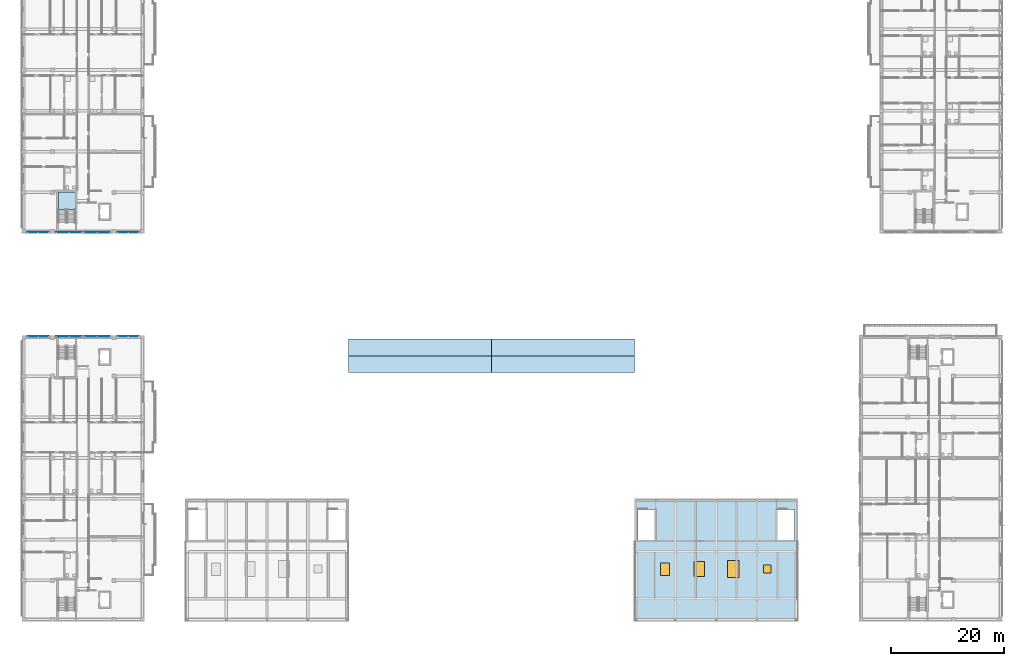
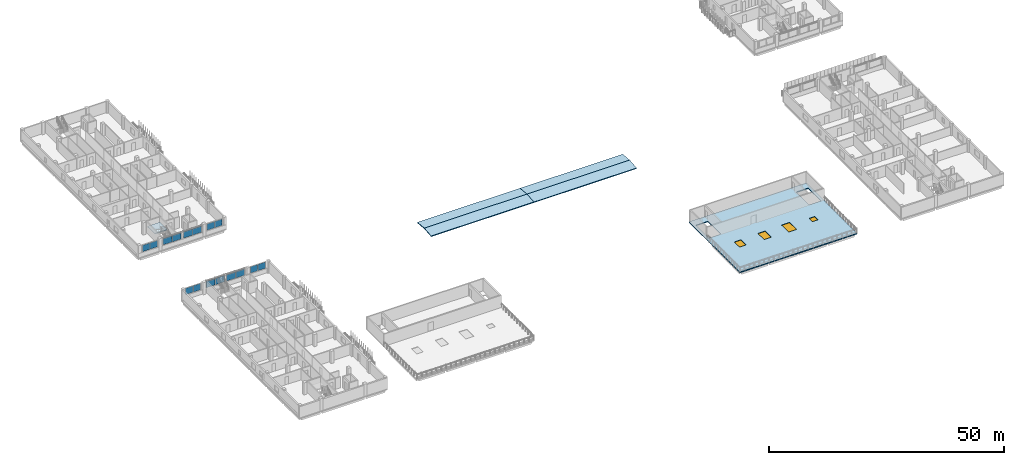
# One storey, part 22 of 56: 16 plates, 6 slabs, 4 windows, 4 openings, 10 elements without a shape of their own.
"""IFC4 building model written with IfcOpenShell, lengths in metres."""

from ifc_helpers import new_model, si_unit, derived_unit, direction, frame, origin, origin_2d, place, context, subcontext, project, spatial, polyline, rectangle, outline, extrude, material, layer, layer_set, type_object, element, fill, aggregate, save


model = new_model("IFC4")

# Units and contexts
model_context = context("Model", 3, precision=1e-05, world=origin(), true_north=direction((0.0, 1.0)))
body_context = subcontext(model_context, "Body", "Model", "MODEL_VIEW")
ifc_project = project(units=[si_unit("LENGTHUNIT", "METRE"), si_unit("AREAUNIT", "SQUARE_METRE"), si_unit("VOLUMEUNIT", "CUBIC_METRE"), si_unit("PLANEANGLEUNIT", "RADIAN"), si_unit("MASSUNIT", "GRAM", prefix="KILO"), derived_unit("THERMALTRANSMITTANCEUNIT", [(si_unit("MASSUNIT", "GRAM", prefix="KILO"), 1), (si_unit("TIMEUNIT", "SECOND"), -3), (si_unit("THERMODYNAMICTEMPERATUREUNIT", "KELVIN"), -1)])], contexts=[model_context])

# Site, building, storey
site_placement = place(None, origin())
site = spatial("IfcSite", under=ifc_project, at=site_placement, CompositionType="ELEMENT")
building_placement = place(site_placement, origin())
building = spatial("IfcBuilding", under=site, at=building_placement, Name="Ochrekiln Boulevard Commons", CompositionType="ELEMENT")
storey_placement = place(building_placement, frame((0.0, 0.0, 12.074951171875)))
storey = spatial("IfcBuildingStorey", under=building, at=storey_placement, Name="L03", CompositionType="ELEMENT", Elevation=12.074951171875)

# Curtain wall, plates
ifc_material_1 = material(Name="Bronze-anodized extruded aluminium 6063-T6", Category="aluminium")
ifc_layer_1 = layer(ifc_material_1, 0.172119140625)
ifc_layer_set_1 = layer_set([ifc_layer_1], Name="Bronze-anodized extruded aluminium 6063-T6")
curtain_wall_type = type_object("IfcCurtainWallType", Name="CW-GABLE-A", PredefinedType="USERDEFINED", material=ifc_layer_set_1)
curtain_wall_1_placement = place(storey_placement, origin())
curtain_wall_1 = element("IfcCurtainWall", 1, at=curtain_wall_1_placement, inside=storey, type_object=curtain_wall_type, Name="Block A L03 Courtyard Glazed Gable Curtain Wall 4", ObjectType="GLAZED CURTAIN WALL", PredefinedType="USERDEFINED")
ifc_material_2 = material(Name="Spectrally selective low-E insulated glazing", Category="glass")
ifc_layer_2 = layer(ifc_material_2, 0.02392578125)
ifc_layer_set_2 = layer_set([ifc_layer_2], Name="Spectrally selective low-E insulated glazing")
plate_type_1 = type_object("IfcPlateType", Name="CWP-GLZ-1", PredefinedType="CURTAIN_PANEL", material=ifc_layer_set_2)
plate_1_placement = place(storey_placement, frame((17.788818359375, 68.56005859375, 1.175048828125), z_axis=(0.0, 0.0, 1.0), x_axis=(1.0, 0.0, 0.0)))
plate_1 = element("IfcPlate", 2, at=plate_1_placement, type_object=plate_type_1, Name="CW-01 panel 1.1", PredefinedType="CURTAIN_PANEL", context=body_context, shape_type="SweptSolid", body=[
    extrude(rectangle(XDim=1.8076171875, YDim=0.02392578125, at=origin_2d()), origin(), (0.0, 0.0, 1.0), 1.64990234375),
])
plate_2_placement = place(storey_placement, frame((19.6611328125, 68.56005859375, 1.175048828125), z_axis=(0.0, 0.0, 1.0), x_axis=(1.0, 0.0, 0.0)))
plate_2 = element("IfcPlate", 3, at=plate_2_placement, type_object=plate_type_1, Name="CW-01 panel 2.1", PredefinedType="CURTAIN_PANEL", context=body_context, shape_type="SweptSolid", body=[
    extrude(rectangle(XDim=1.8076171875, YDim=0.02392578125, at=origin_2d()), origin(), (0.0, 0.0, 1.0), 1.64990234375),
])
aggregate(curtain_wall_1, [plate_1, plate_2])

curtain_wall_2_placement = place(storey_placement, origin())
curtain_wall_2 = element("IfcCurtainWall", 4, at=curtain_wall_2_placement, inside=storey, type_object=curtain_wall_type, Name="Block D L03 Courtyard Glazed Gable Curtain Wall 4", ObjectType="GLAZED CURTAIN WALL", PredefinedType="USERDEFINED")
plate_3_placement = place(storey_placement, frame((17.788818359375, 50.217529296875, 1.175048828125), z_axis=(0.0, 0.0, 1.0), x_axis=(1.0, 0.0, 0.0)))
plate_3 = element("IfcPlate", 5, at=plate_3_placement, type_object=plate_type_1, Name="CW-01 panel 1.1", PredefinedType="CURTAIN_PANEL", context=body_context, shape_type="SweptSolid", body=[
    extrude(rectangle(XDim=1.8076171875, YDim=0.02392578125, at=origin_2d()), origin(), (0.0, 0.0, 1.0), 1.64990234375),
])
plate_4_placement = place(storey_placement, frame((19.6611328125, 50.217529296875, 1.175048828125), z_axis=(0.0, 0.0, 1.0), x_axis=(1.0, 0.0, 0.0)))
plate_4 = element("IfcPlate", 6, at=plate_4_placement, type_object=plate_type_1, Name="CW-01 panel 2.1", PredefinedType="CURTAIN_PANEL", context=body_context, shape_type="SweptSolid", body=[
    extrude(rectangle(XDim=1.8076171875, YDim=0.02392578125, at=origin_2d()), origin(), (0.0, 0.0, 1.0), 1.64990234375),
])
aggregate(curtain_wall_2, [plate_3, plate_4])

curtain_wall_3_placement = place(storey_placement, origin())
curtain_wall_3 = element("IfcCurtainWall", 7, at=curtain_wall_3_placement, inside=storey, type_object=curtain_wall_type, Name="Block A L03 Courtyard Glazed Gable Curtain Wall 1", ObjectType="GLAZED CURTAIN WALL", PredefinedType="USERDEFINED")
ifc_layer_3 = layer(ifc_material_2, 0.030029296875)
ifc_layer_set_3 = layer_set([ifc_layer_3], Name="Spectrally selective low-E insulated glazing")
plate_type_2 = type_object("IfcPlateType", Name="CWP-GLZ-2", PredefinedType="CURTAIN_PANEL", material=ifc_layer_set_3)
plate_5_placement = place(storey_placement, frame((1.9375, 68.56005859375, 1.169921875), z_axis=(0.0, 0.0, 1.0), x_axis=(1.0, 0.0, 0.0)))
plate_5 = element("IfcPlate", 8, at=plate_5_placement, type_object=plate_type_2, Name="CW-01 panel 1.1", PredefinedType="CURTAIN_PANEL", context=body_context, shape_type="SweptSolid", body=[
    extrude(rectangle(XDim=1.81494140625, YDim=0.030029296875, at=origin_2d()), origin(), (0.0, 0.0, 1.0), 1.659912109375),
])
plate_6_placement = place(storey_placement, frame((3.8125, 68.56005859375, 1.169921875), z_axis=(0.0, 0.0, 1.0), x_axis=(1.0, 0.0, 0.0)))
plate_6 = element("IfcPlate", 9, at=plate_6_placement, type_object=plate_type_2, Name="CW-01 panel 2.1", PredefinedType="CURTAIN_PANEL", context=body_context, shape_type="SweptSolid", body=[
    extrude(rectangle(XDim=1.81494140625, YDim=0.030029296875, at=origin_2d()), origin(), (0.0, 0.0, 1.0), 1.659912109375),
])
aggregate(curtain_wall_3, [plate_5, plate_6])

curtain_wall_4_placement = place(storey_placement, origin())
curtain_wall_4 = element("IfcCurtainWall", 10, at=curtain_wall_4_placement, inside=storey, type_object=curtain_wall_type, Name="Block D L03 Courtyard Glazed Gable Curtain Wall 1", ObjectType="GLAZED CURTAIN WALL", PredefinedType="USERDEFINED")
plate_7_placement = place(storey_placement, frame((1.938720703125, 50.217529296875, 1.175048828125), z_axis=(0.0, 0.0, 1.0), x_axis=(1.0, 0.0, 0.0)))
plate_7 = element("IfcPlate", 11, at=plate_7_placement, type_object=plate_type_2, Name="CW-01 panel 1.1", PredefinedType="CURTAIN_PANEL", context=body_context, shape_type="SweptSolid", body=[
    extrude(rectangle(XDim=1.8076171875, YDim=0.030029296875, at=origin_2d()), origin(), (0.0, 0.0, 1.0), 1.64990234375),
])
plate_8_placement = place(storey_placement, frame((3.811279296875, 50.217529296875, 1.175048828125), z_axis=(0.0, 0.0, 1.0), x_axis=(1.0, 0.0, 0.0)))
plate_8 = element("IfcPlate", 12, at=plate_8_placement, type_object=plate_type_2, Name="CW-01 panel 2.1", PredefinedType="CURTAIN_PANEL", context=body_context, shape_type="SweptSolid", body=[
    extrude(rectangle(XDim=1.8076171875, YDim=0.030029296875, at=origin_2d()), origin(), (0.0, 0.0, 1.0), 1.64990234375),
])
aggregate(curtain_wall_4, [plate_7, plate_8])

curtain_wall_5_placement = place(storey_placement, origin())
curtain_wall_5 = element("IfcCurtainWall", 13, at=curtain_wall_5_placement, inside=storey, type_object=curtain_wall_type, Name="Block A L03 Courtyard Glazed Gable Curtain Wall 2", ObjectType="GLAZED CURTAIN WALL", PredefinedType="USERDEFINED")
ifc_layer_4 = layer(ifc_material_2, 0.035888671875)
ifc_layer_set_4 = layer_set([ifc_layer_4], Name="Spectrally selective low-E insulated glazing")
plate_type_3 = type_object("IfcPlateType", Name="CWP-GLZ-3", PredefinedType="CURTAIN_PANEL", material=ifc_layer_set_4)
plate_9_placement = place(storey_placement, frame((7.18115234375, 68.56005859375, 1.175048828125), z_axis=(0.0, 0.0, 1.0), x_axis=(1.0, 0.0, 0.0)))
plate_9 = element("IfcPlate", 14, at=plate_9_placement, type_object=plate_type_3, Name="CW-01 panel 1.1", PredefinedType="CURTAIN_PANEL", context=body_context, shape_type="SweptSolid", body=[
    extrude(rectangle(XDim=2.1923828125, YDim=0.035888671875, at=origin_2d()), origin(), (0.0, 0.0, 1.0), 1.64990234375),
])
plate_10_placement = place(storey_placement, frame((9.438720703125, 68.56005859375, 1.175048828125), z_axis=(0.0, 0.0, 1.0), x_axis=(1.0, 0.0, 0.0)))
plate_10 = element("IfcPlate", 15, at=plate_10_placement, type_object=plate_type_3, Name="CW-01 panel 2.1", PredefinedType="CURTAIN_PANEL", context=body_context, shape_type="SweptSolid", body=[
    extrude(rectangle(XDim=2.1923828125, YDim=0.035888671875, at=origin_2d()), origin(), (0.0, 0.0, 1.0), 1.64990234375),
])
aggregate(curtain_wall_5, [plate_9, plate_10])

curtain_wall_6_placement = place(storey_placement, origin())
curtain_wall_6 = element("IfcCurtainWall", 16, at=curtain_wall_6_placement, inside=storey, type_object=curtain_wall_type, Name="Block D L03 Courtyard Glazed Gable Curtain Wall 2", ObjectType="GLAZED CURTAIN WALL", PredefinedType="USERDEFINED")
plate_11_placement = place(storey_placement, frame((7.18115234375, 50.217529296875, 1.175048828125), z_axis=(0.0, 0.0, 1.0), x_axis=(1.0, 0.0, 0.0)))
plate_11 = element("IfcPlate", 17, at=plate_11_placement, type_object=plate_type_3, Name="CW-01 panel 1.1", PredefinedType="CURTAIN_PANEL", context=body_context, shape_type="SweptSolid", body=[
    extrude(rectangle(XDim=2.1923828125, YDim=0.035888671875, at=origin_2d()), origin(), (0.0, 0.0, 1.0), 1.64990234375),
])
plate_12_placement = place(storey_placement, frame((9.438720703125, 50.217529296875, 1.175048828125), z_axis=(0.0, 0.0, 1.0), x_axis=(1.0, 0.0, 0.0)))
plate_12 = element("IfcPlate", 18, at=plate_12_placement, type_object=plate_type_3, Name="CW-01 panel 2.1", PredefinedType="CURTAIN_PANEL", context=body_context, shape_type="SweptSolid", body=[
    extrude(rectangle(XDim=2.1923828125, YDim=0.035888671875, at=origin_2d()), origin(), (0.0, 0.0, 1.0), 1.64990234375),
])
aggregate(curtain_wall_6, [plate_11, plate_12])

curtain_wall_7_placement = place(storey_placement, origin())
curtain_wall_7 = element("IfcCurtainWall", 19, at=curtain_wall_7_placement, inside=storey, type_object=curtain_wall_type, Name="Block A L03 Courtyard Glazed Gable Curtain Wall 3", ObjectType="GLAZED CURTAIN WALL", PredefinedType="USERDEFINED")
ifc_layer_5 = layer(ifc_material_2, 0.0419921875)
ifc_layer_set_5 = layer_set([ifc_layer_5], Name="Spectrally selective low-E insulated glazing")
plate_type_4 = type_object("IfcPlateType", Name="CWP-GLZ-4", PredefinedType="CURTAIN_PANEL", material=ifc_layer_set_5)
plate_13_placement = place(storey_placement, frame((12.159912109375, 68.56005859375, 1.169921875), z_axis=(0.0, 0.0, 1.0), x_axis=(1.0, 0.0, 0.0)))
plate_13 = element("IfcPlate", 20, at=plate_13_placement, type_object=plate_type_4, Name="CW-01 panel 1.1", PredefinedType="CURTAIN_PANEL", context=body_context, shape_type="SweptSolid", body=[
    extrude(rectangle(XDim=2.199951171875, YDim=0.0419921875, at=origin_2d()), origin(), (0.0, 0.0, 1.0), 1.659912109375),
])
plate_14_placement = place(storey_placement, frame((14.419921875, 68.56005859375, 1.169921875), z_axis=(0.0, 0.0, 1.0), x_axis=(1.0, 0.0, 0.0)))
plate_14 = element("IfcPlate", 21, at=plate_14_placement, type_object=plate_type_4, Name="CW-01 panel 2.1", PredefinedType="CURTAIN_PANEL", context=body_context, shape_type="SweptSolid", body=[
    extrude(rectangle(XDim=2.199951171875, YDim=0.0419921875, at=origin_2d()), origin(), (0.0, 0.0, 1.0), 1.659912109375),
])
aggregate(curtain_wall_7, [plate_13, plate_14])

curtain_wall_8_placement = place(storey_placement, origin())
curtain_wall_8 = element("IfcCurtainWall", 22, at=curtain_wall_8_placement, inside=storey, type_object=curtain_wall_type, Name="Block D L03 Courtyard Glazed Gable Curtain Wall 3", ObjectType="GLAZED CURTAIN WALL", PredefinedType="USERDEFINED")
plate_15_placement = place(storey_placement, frame((12.1611328125, 50.217529296875, 1.175048828125), z_axis=(0.0, 0.0, 1.0), x_axis=(1.0, 0.0, 0.0)))
plate_15 = element("IfcPlate", 23, at=plate_15_placement, type_object=plate_type_4, Name="CW-01 panel 1.1", PredefinedType="CURTAIN_PANEL", context=body_context, shape_type="SweptSolid", body=[
    extrude(rectangle(XDim=2.1923828125, YDim=0.0419921875, at=origin_2d()), origin(), (0.0, 0.0, 1.0), 1.64990234375),
])
plate_16_placement = place(storey_placement, frame((14.418701171875, 50.217529296875, 1.175048828125), z_axis=(0.0, 0.0, 1.0), x_axis=(1.0, 0.0, 0.0)))
plate_16 = element("IfcPlate", 24, at=plate_16_placement, type_object=plate_type_4, Name="CW-01 panel 2.1", PredefinedType="CURTAIN_PANEL", context=body_context, shape_type="SweptSolid", body=[
    extrude(rectangle(XDim=2.1923828125, YDim=0.0419921875, at=origin_2d()), origin(), (0.0, 0.0, 1.0), 1.64990234375),
])
aggregate(curtain_wall_8, [plate_15, plate_16])

# Stair, slab
ifc_material_3 = material(Name="Concrete C35/45", Category="concrete")
stair_type = type_object("IfcStairType", Name="STR-DL-315", PredefinedType="TWO_STRAIGHT_RUN_STAIR", material=ifc_material_3)
stair_placement = place(storey_placement, origin())
stair = element("IfcStair", 25, at=stair_placement, inside=storey, type_object=stair_type, Name="L03 Enclosed Exit Stair ST-A1", PredefinedType="TWO_STRAIGHT_RUN_STAIR")
ifc_layer_6 = layer(ifc_material_3, 0.199951171875)
ifc_layer_set_6 = layer_set([ifc_layer_6], Name="Concrete C35/45")
slab_type_1 = type_object("IfcSlabType", Name="SLB-LND-200", PredefinedType="LANDING", material=ifc_layer_set_6)
slab_1_placement = place(storey_placement, frame((0.0, 0.0, 1.375)))
slab_1 = element("IfcSlab", 26, at=slab_1_placement, type_object=slab_type_1, Name="ST-A1 landing 1", PredefinedType="LANDING", context=body_context, shape_type="SweptSolid", body=[
    extrude(outline(polyline([(9.39990234375, 72.590087890625), (9.39990234375, 75.719970703125), (6.39990234375, 75.719970703125), (6.39990234375, 72.590087890625), (9.39990234375, 72.590087890625)])), origin(), (0.0, 0.0, 1.0), 0.199951171875),
])
aggregate(stair, [slab_1])

# Slab, openings, windows
ifc_layer_7 = layer(ifc_material_3, 0.239990234375)
ifc_layer_set_7 = layer_set([ifc_layer_7], Name="Concrete C35/45")
slab_type_2 = type_object("IfcSlabType", Name="SLB-TERR-240", PredefinedType="ROOF", material=ifc_layer_set_7)
slab_2_placement = place(storey_placement, frame((0.0, 0.0, -0.239990234375)))
slab_2 = element("IfcSlab", 27, at=slab_2_placement, inside=storey, type_object=slab_type_2, Name="East Boulevard Arcade L03 Occupied Roof Terrace Slab", PredefinedType="ROOF", context=body_context, shape_type="SweptSolid", body=[
    extrude(outline(polyline([(108.0, 0.0), (136.800048828125, 0.0), (136.800048828125, 21.60009765625), (108.0, 21.60009765625), (108.0, 0.0)]), holes=[polyline([(108.60009765625, 19.7294921875), (108.60009765625, 14.280029296875), (111.60009765625, 14.280029296875), (111.60009765625, 19.7294921875), (108.60009765625, 19.7294921875)]), polyline([(133.199951171875, 19.7294921875), (133.199951171875, 14.280029296875), (136.199951171875, 14.280029296875), (136.199951171875, 19.7294921875), (133.199951171875, 19.7294921875)])]), origin(), (0.0, 0.0, 1.0), 0.239990234375),
])
opening_1_placement = place(slab_2_placement, frame((113.39990234375, 9.199951171875, 0.0)))
opening_1 = element("IfcOpeningElement", 28, at=opening_1_placement, cuts=slab_2, Name="Opening SK-01", PredefinedType="OPENING", context=body_context, shape_type="SweptSolid", body=[
    extrude(rectangle(XDim=1.60009765625, YDim=2.199951171875, at=origin_2d()), frame((0.0, 0.0, -0.010009765625)), (0.0, 0.0, 1.0), 0.260009765625),
])
opening_2_placement = place(slab_2_placement, frame((119.39990234375, 9.199951171875, 0.0)))
opening_2 = element("IfcOpeningElement", 29, at=opening_2_placement, cuts=slab_2, Name="Opening SK-02", PredefinedType="OPENING", context=body_context, shape_type="SweptSolid", body=[
    extrude(rectangle(XDim=1.800048828125, YDim=2.60009765625, at=origin_2d()), frame((0.0, 0.0, -0.010009765625)), (0.0, 0.0, 1.0), 0.260009765625),
])
opening_3_placement = place(slab_2_placement, frame((125.39990234375, 9.199951171875, 0.0)))
opening_3 = element("IfcOpeningElement", 30, at=opening_3_placement, cuts=slab_2, Name="Opening SK-03", PredefinedType="OPENING", context=body_context, shape_type="SweptSolid", body=[
    extrude(rectangle(XDim=2.0, YDim=3.0, at=origin_2d()), frame((0.0, 0.0, -0.010009765625)), (0.0, 0.0, 1.0), 0.260009765625),
])
opening_4_placement = place(slab_2_placement, frame((131.39990234375, 9.199951171875, 0.0)))
opening_4 = element("IfcOpeningElement", 31, at=opening_4_placement, cuts=slab_2, Name="Opening SK-04", PredefinedType="OPENING", context=body_context, shape_type="SweptSolid", body=[
    extrude(rectangle(XDim=1.39990234375, YDim=1.39990234375, at=origin_2d()), frame((0.0, 0.0, -0.010009765625)), (0.0, 0.0, 1.0), 0.260009765625),
])
window_type_1 = type_object("IfcWindowType", Name="WIN-SKY-01", PartitioningType="SINGLE_PANEL", PredefinedType="SKYLIGHT", material=ifc_material_2)
window_1_placement = place(opening_1_placement, frame((0.0, 0.0, 0.094970703125)))
window_1 = element("IfcWindow", 32, at=window_1_placement, inside=storey, type_object=window_type_1, Name="East Boulevard Arcade Maker Studio Roof Skylight 1", OverallHeight=2.199951171875, OverallWidth=1.60009765625, PartitioningType="SINGLE_PANEL", PredefinedType="SKYLIGHT", context=body_context, shape_type="SweptSolid", body=[
    extrude(rectangle(XDim=1.60009765625, YDim=2.199951171875, at=origin_2d()), origin(), (0.0, 0.0, 1.0), 0.050048828125),
])
fill(opening_1, window_1)
window_type_2 = type_object("IfcWindowType", Name="WIN-SKY-02", PartitioningType="SINGLE_PANEL", PredefinedType="SKYLIGHT", material=ifc_material_2)
window_2_placement = place(opening_2_placement, frame((0.0, 0.0, 0.094970703125)))
window_2 = element("IfcWindow", 33, at=window_2_placement, inside=storey, type_object=window_type_2, Name="East Boulevard Arcade Maker Studio Roof Skylight 2", OverallHeight=2.60009765625, OverallWidth=1.800048828125, PartitioningType="SINGLE_PANEL", PredefinedType="SKYLIGHT", context=body_context, shape_type="SweptSolid", body=[
    extrude(rectangle(XDim=1.800048828125, YDim=2.60009765625, at=origin_2d()), origin(), (0.0, 0.0, 1.0), 0.050048828125),
])
fill(opening_2, window_2)
window_type_3 = type_object("IfcWindowType", Name="WIN-SKY-03", PartitioningType="SINGLE_PANEL", PredefinedType="SKYLIGHT", material=ifc_material_2)
window_3_placement = place(opening_3_placement, frame((0.0, 0.0, 0.094970703125)))
window_3 = element("IfcWindow", 34, at=window_3_placement, inside=storey, type_object=window_type_3, Name="East Boulevard Arcade Maker Studio Roof Skylight 3", OverallHeight=3.0, OverallWidth=2.0, PartitioningType="SINGLE_PANEL", PredefinedType="SKYLIGHT", context=body_context, shape_type="SweptSolid", body=[
    extrude(rectangle(XDim=2.0, YDim=3.0, at=origin_2d()), origin(), (0.0, 0.0, 1.0), 0.050048828125),
])
fill(opening_3, window_3)
window_type_4 = type_object("IfcWindowType", Name="WIN-SKY-04", PartitioningType="SINGLE_PANEL", PredefinedType="SKYLIGHT", material=ifc_material_2)
window_4_placement = place(opening_4_placement, frame((0.0, 0.0, 0.094970703125)))
window_4 = element("IfcWindow", 35, at=window_4_placement, inside=storey, type_object=window_type_4, Name="East Boulevard Arcade Maker Studio Roof Skylight 4", OverallHeight=1.39990234375, OverallWidth=1.39990234375, PartitioningType="SINGLE_PANEL", PredefinedType="SKYLIGHT", context=body_context, shape_type="SweptSolid", body=[
    extrude(rectangle(XDim=1.39990234375, YDim=1.39990234375, at=origin_2d()), origin(), (0.0, 0.0, 1.0), 0.050048828125),
])
fill(opening_4, window_4)

# Roof, slabs
roof_type = type_object("IfcRoofType", Name="ROOF-BARREL", PredefinedType="BARREL_ROOF", material=ifc_material_3)
roof_placement = place(storey_placement, origin())
roof = element("IfcRoof", 36, at=roof_placement, inside=storey, type_object=roof_type, Name="Community Hall Seven-Bay Reinforced Concrete Barrel-Vault Crown", PredefinedType="BARREL_ROOF")
ifc_layer_8 = layer(ifc_material_3, 0.199951171875)
ifc_layer_set_8 = layer_set([ifc_layer_8], Name="Concrete C35/45")
slab_type_3 = type_object("IfcSlabType", Name="SLB-VAULT-200", PredefinedType="ROOF", material=ifc_layer_set_8)
slab_3_placement = place(storey_placement, frame((57.60009765625, 43.8525390625, 0.426025390625), z_axis=(1.0, 0.0, 0.0), x_axis=(0.0, 1.0, 0.0)))
slab_3 = element("IfcSlab", 37, at=slab_3_placement, type_object=slab_type_3, Name="Community Hall Barrel Vault Shell Facet 1.4", PredefinedType="ROOF", context=body_context, shape_type="SweptSolid", body=[
    extrude(outline(polyline([(0.0, 0.0), (2.947509765625, 0.274169921875), (2.947509765625, 0.0732421875), (0.0, -0.200927734375), (0.0, 0.0)])), origin(), (0.0, 0.0, 1.0), 25.199951171875),
])
slab_4_placement = place(storey_placement, frame((57.60009765625, 46.800048828125, 0.699951171875), z_axis=(1.0, 0.0, 0.0), x_axis=(0.0, 1.0, 0.0)))
slab_4 = element("IfcSlab", 38, at=slab_4_placement, type_object=slab_type_3, Name="Community Hall Barrel Vault Shell Facet 1.5", PredefinedType="ROOF", context=body_context, shape_type="SweptSolid", body=[
    extrude(outline(polyline([(0.0, 0.0), (2.947509765625, -0.274169921875), (2.947509765625, -0.474853515625), (0.0, -0.200927734375), (0.0, 0.0)])), origin(), (0.0, 0.0, 1.0), 25.199951171875),
])
slab_5_placement = place(storey_placement, frame((82.800048828125, 43.8525390625, 0.426025390625), z_axis=(1.0, 0.0, 0.0), x_axis=(0.0, 1.0, 0.0)))
slab_5 = element("IfcSlab", 39, at=slab_5_placement, type_object=slab_type_3, Name="Community Hall Barrel Vault Shell Facet 2.4", PredefinedType="ROOF", context=body_context, shape_type="SweptSolid", body=[
    extrude(outline(polyline([(0.0, 0.0), (2.947509765625, 0.274169921875), (2.947509765625, 0.0732421875), (0.0, -0.200927734375), (0.0, 0.0)])), origin(), (0.0, 0.0, 1.0), 25.199951171875),
])
slab_6_placement = place(storey_placement, frame((82.800048828125, 46.800048828125, 0.699951171875), z_axis=(1.0, 0.0, 0.0), x_axis=(0.0, 1.0, 0.0)))
slab_6 = element("IfcSlab", 40, at=slab_6_placement, type_object=slab_type_3, Name="Community Hall Barrel Vault Shell Facet 2.5", PredefinedType="ROOF", context=body_context, shape_type="SweptSolid", body=[
    extrude(outline(polyline([(0.0, 0.0), (2.947509765625, -0.274169921875), (2.947509765625, -0.474853515625), (0.0, -0.200927734375), (0.0, 0.0)])), origin(), (0.0, 0.0, 1.0), 25.199951171875),
])
aggregate(roof, [slab_3, slab_4, slab_5, slab_6])

save(model, "model.ifc")
